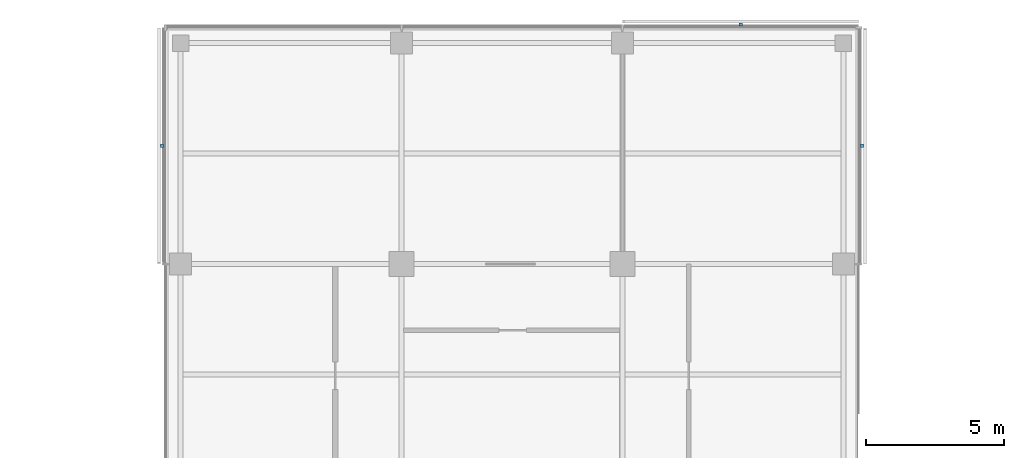
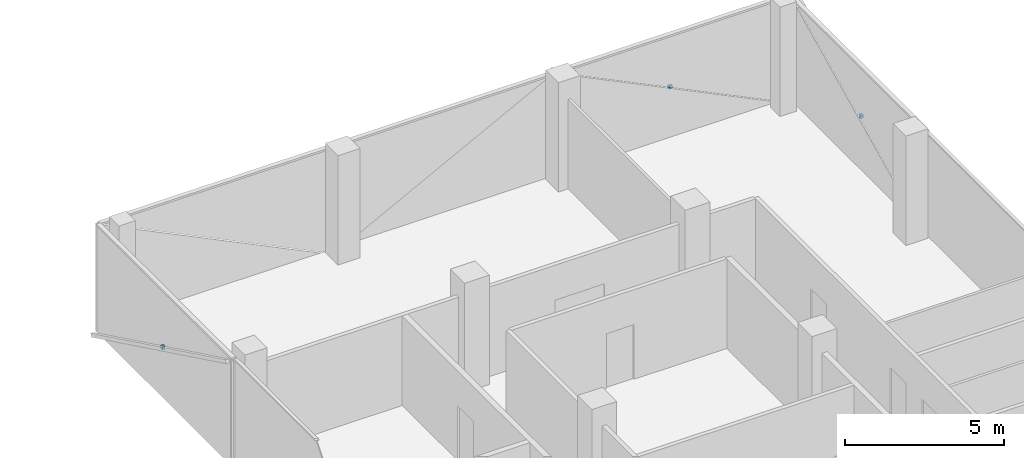
# One storey, part 14 of 15: 3 discrete accessories.
"""IFC4 building model written with IfcOpenShell, lengths in metres."""

from ifc_helpers import new_model, si_unit, direction, frame, origin, origin_2d, place, context, subcontext, project, spatial, rectangle, extrude, material, type_object, element, save


model = new_model("IFC4")

# Units and contexts
model_context = context("Model", 3, precision=1e-05, world=origin(), true_north=direction((0.0, 1.0)))
body_context = subcontext(model_context, "Body", "Model", "MODEL_VIEW")
ifc_project = project(units=[si_unit("LENGTHUNIT", "METRE"), si_unit("AREAUNIT", "SQUARE_METRE"), si_unit("VOLUMEUNIT", "CUBIC_METRE"), si_unit("PLANEANGLEUNIT", "RADIAN"), si_unit("MASSUNIT", "GRAM", prefix="KILO")], contexts=[model_context])

# Site, building, storey
site_placement = place(None, origin())
site = spatial("IfcSite", under=ifc_project, at=site_placement, CompositionType="ELEMENT")
building_placement = place(site_placement, origin())
building = spatial("IfcBuilding", under=site, at=building_placement, Name="Crosswind Convention Tower", CompositionType="ELEMENT")
storey_placement = place(building_placement, frame((0.0, 0.0, 225.10009765625)))
storey = spatial("IfcBuildingStorey", under=building, at=storey_placement, Name="L48", CompositionType="ELEMENT", Elevation=225.10009765625)

# Discrete accessories
ifc_material = material(Name="Stainless steel", Category="steel")
discrete_accessory_type = type_object("IfcDiscreteAccessoryType", Name="BAGUETTE BRACKET BK3", PredefinedType="BRACKET", material=ifc_material)
for number, where, z_axis, x_axis, name in (
    (1, (137.676025390625, 124.280029296875, 1.704833984375), (0.0, 0.0, 1.0), (0.0, 1.0, 0.0), "BK3 baguette bracket"),
    (2, (133.280029296875, 128.676025390625, 1.704833984375), (0.0, 0.0, 1.0), (-1.0, 0.0, 0.0), "BK3 baguette bracket"),
    (3, (112.323974609375, 124.280029296875, 1.704833984375), (0.0, 0.0, 1.0), (0.0, -1.0, 0.0), "BK3 baguette bracket"),
):
    element("IfcDiscreteAccessory", number, at=place(storey_placement, frame(where, z_axis=z_axis, x_axis=x_axis)), inside=storey, type_object=discrete_accessory_type, Name=name, PredefinedType="BRACKET", context=body_context, shape_type="SweptSolid", body=[
        extrude(rectangle(XDim=0.1201171875, YDim=0.10009765625, at=origin_2d()), origin(), (0.0, 0.0, 1.0), 0.1201171875),
    ])

save(model, "model.ifc")
